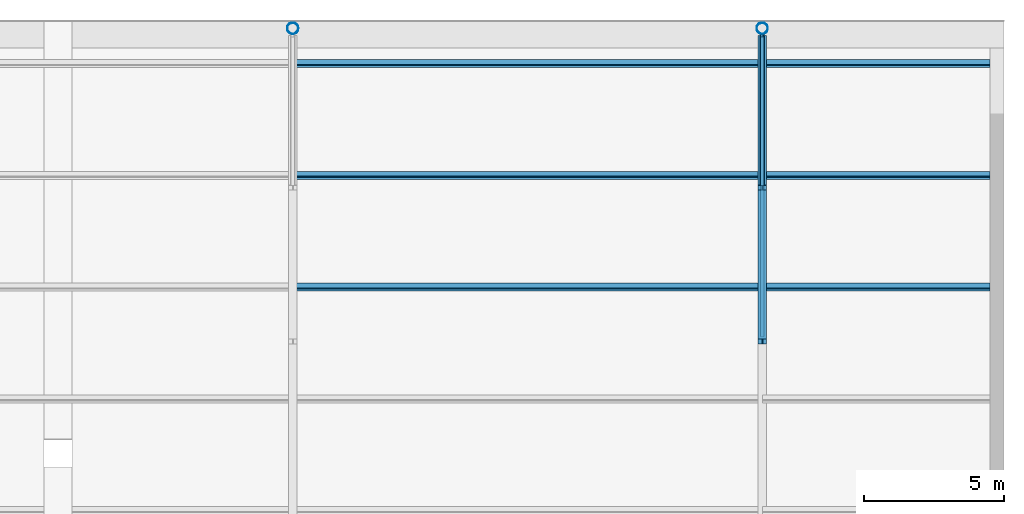
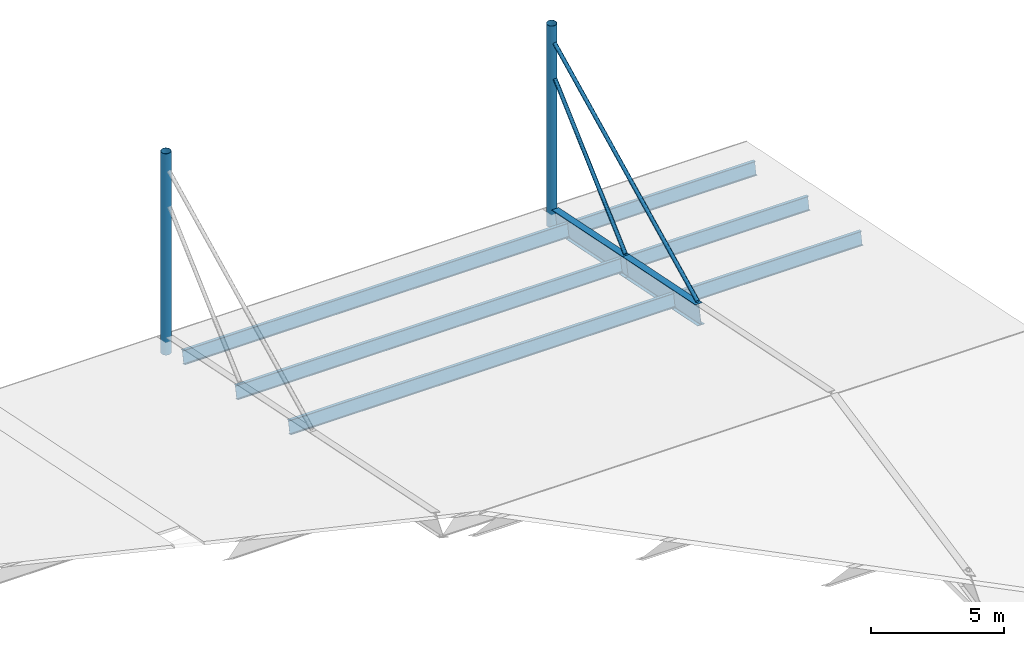
# One storey, part 7 of 8: 10 members, 2 beams.
"""IFC4 building model written with IfcOpenShell, lengths in metres."""

from ifc_helpers import new_model, si_unit, direction, frame, origin, origin_2d, place, context, subcontext, project, spatial, hollow_circle, i_section, extrude, material, material_profile, profile_set, type_object, element, save


model = new_model("IFC4")

# Units and contexts
model_context = context("Model", 3, precision=1e-05, world=origin(), true_north=direction((0.0, 1.0)))
body_context = subcontext(model_context, "Body", "Model", "MODEL_VIEW")
ifc_project = project(units=[si_unit("LENGTHUNIT", "METRE"), si_unit("AREAUNIT", "SQUARE_METRE"), si_unit("VOLUMEUNIT", "CUBIC_METRE"), si_unit("PLANEANGLEUNIT", "RADIAN"), si_unit("MASSUNIT", "GRAM", prefix="KILO")], contexts=[model_context])

# Site, building, storey
site_placement = place(None, origin())
site = spatial("IfcSite", under=ifc_project, at=site_placement, CompositionType="ELEMENT")
building_placement = place(site_placement, origin())
building = spatial("IfcBuilding", under=site, at=building_placement, Name="Ljudholm Concert House", CompositionType="ELEMENT")
storey_placement = place(building_placement, frame((0.0, 0.0, 22.800048828125)))
storey = spatial("IfcBuildingStorey", under=building, at=storey_placement, Name="ROOF", CompositionType="ELEMENT", Elevation=22.800048828125)

# Beams
ifc_material_1 = material(Name="Steel ASTM A992", Category="steel")
ifc_material_profile_1 = material_profile(ifc_material_1, i_section(OverallWidth=0.3046875, OverallDepth=0.904296875, WebThickness=0.01513671875, FlangeThickness=0.02001953125, FilletRadius=0.01904296875, at=origin_2d()), Name="W36X135")
ifc_profile_set_1 = profile_set([ifc_material_profile_1], Name="Steel ASTM A992")
beam_type = type_object("IfcBeamType", Name="STEEL BEAM W36X135 BEAM", PredefinedType="BEAM", material=ifc_profile_set_1)
beam_1_placement = place(storey_placement, frame((88.0, 85.39990234375, 3.350341796875), z_axis=(0.0, 0.979927877682, -0.199352337687), x_axis=(-1.0, 0.0, 0.0)))
element("IfcBeam", 1, at=beam_1_placement, inside=storey, type_object=beam_type, Name="Roof girder G4", PredefinedType="BEAM", context=body_context, shape_type="SweptSolid", body=[
    extrude(i_section(OverallWidth=0.3046875, OverallDepth=0.904296875, WebThickness=0.01513671875, FlangeThickness=0.02001953125, FilletRadius=0.01904296875, at=origin_2d()), origin(), (0.0, 0.0, 1.0), 5.612548828125),
])
beam_2_placement = place(storey_placement, frame((88.0, 90.89990234375, 2.2314453125), z_axis=(0.0, 0.979928667934, -0.199348453119), x_axis=(-1.0, 0.0, 0.0)))
element("IfcBeam", 2, at=beam_2_placement, inside=storey, type_object=beam_type, Name="Roof girder G4", PredefinedType="BEAM", context=body_context, shape_type="SweptSolid", body=[
    extrude(i_section(OverallWidth=0.3046875, OverallDepth=0.904296875, WebThickness=0.01513671875, FlangeThickness=0.02001953125, FilletRadius=0.01904296875, at=origin_2d()), origin(), (0.0, 0.0, 1.0), 5.459716796875),
])

# Members
ifc_material_2 = material(Name="Concrete-filled steel tube (Steel ASTM A500 Gr. C, fill Concrete 6,500 psi)", Category="concrete")
ifc_material_profile_2 = material_profile(ifc_material_2, hollow_circle(Radius=0.203125, WallThickness=0.01171875, at=origin_2d()), Name="HSS16.000X0.500")
ifc_profile_set_2 = profile_set([ifc_material_profile_2], Name="Concrete-filled steel tube (Steel ASTM A500 Gr. C, fill Concrete 6,500 psi)")
member_type_1 = type_object("IfcMemberType", Name="STEEL MEMBER HSS16.000X0.500 POST", PredefinedType="POST", material=ifc_profile_set_2)
for number, where, z_axis, x_axis, name in (
    (3, (71.199951171875, 96.60009765625, 0.699951171875), (0.0, 0.0, 1.0), (1.0, 0.0, 0.0), "Roof mast N3"),
    (4, (88.0, 96.60009765625, 0.699951171875), (0.0, 0.0, 1.0), (1.0, 0.0, 0.0), "Roof mast N4"),
):
    element("IfcMember", number, at=place(storey_placement, frame(where, z_axis=z_axis, x_axis=x_axis)), inside=storey, type_object=member_type_1, Name=name, PredefinedType="POST", context=body_context, shape_type="SweptSolid", body=[
        extrude(hollow_circle(Radius=0.203125, WallThickness=0.01171875, at=origin_2d()), origin(), (0.0, 0.0, 1.0), 9.27490234375),
    ])
ifc_material_3 = material(Name="Steel ASTM A500 Gr. C", Category="steel")
ifc_material_profile_3 = material_profile(ifc_material_3, hollow_circle(Radius=0.084228515625, WallThickness=0.006591796875, at=origin_2d()), Name="HSS6.625X0.280")
ifc_profile_set_3 = profile_set([ifc_material_profile_3], Name="Steel ASTM A500 Gr. C")
member_type_2 = type_object("IfcMemberType", Name="STEEL MEMBER HSS6.625X0.280 BRACE", PredefinedType="BRACE", material=ifc_profile_set_3)
member_1_placement = place(storey_placement, frame((88.0, 96.340087890625, 7.5625), z_axis=(0.0, -0.738258890166, -0.674517465371), x_axis=(1.0, 0.0, 0.0)))
element("IfcMember", 5, at=member_1_placement, inside=storey, type_object=member_type_2, Name="Roof stay N4.1", PredefinedType="BRACE", context=body_context, shape_type="SweptSolid", body=[
    extrude(hollow_circle(Radius=0.084228515625, WallThickness=0.006591796875, at=origin_2d()), origin(), (0.0, 0.0, 1.0), 7.185302734375),
])
member_2_placement = place(storey_placement, frame((88.0, 96.359375, 9.1806640625), z_axis=(0.0, -0.895985327461, -0.444083655378), x_axis=(1.0, 0.0, 0.0)))
element("IfcMember", 6, at=member_2_placement, inside=storey, type_object=member_type_2, Name="Roof stay N4.2", PredefinedType="BRACE", context=body_context, shape_type="SweptSolid", body=[
    extrude(hollow_circle(Radius=0.084228515625, WallThickness=0.006591796875, at=origin_2d()), origin(), (0.0, 0.0, 1.0), 12.022705078125),
])
ifc_material_4 = material(Name="Steel ASTM A992", Category="steel")
ifc_material_profile_4 = material_profile(ifc_material_4, i_section(OverallWidth=0.177978515625, OverallDepth=0.599365234375, WebThickness=0.010009765625, FlangeThickness=0.012939453125, FilletRadius=0.012939453125, at=origin_2d()), Name="W24X55")
ifc_profile_set_4 = profile_set([ifc_material_profile_4], Name="Steel ASTM A992")
member_type_3 = type_object("IfcMemberType", Name="STEEL MEMBER W24X55 PURLIN", PredefinedType="PURLIN", material=ifc_profile_set_4)
for number, where, z_axis, x_axis, name in (
    (7, (71.20751953125, 95.34033203125, 1.233642578125), (1.0, 0.0, 0.0), (0.0, 0.979924704621, -0.199367934417), "Purlin"),
    (8, (71.20751953125, 91.34033203125, 2.04736328125), (1.0, 0.0, 0.0), (0.0, 0.979924704621, -0.199367934417), "Purlin"),
    (9, (71.20751953125, 87.34033203125, 2.861328125), (1.0, 0.0, 0.0), (0.0, 0.979924704621, -0.199367934417), "Purlin"),
):
    element("IfcMember", number, at=place(storey_placement, frame(where, z_axis=z_axis, x_axis=x_axis)), inside=storey, type_object=member_type_3, Name=name, PredefinedType="PURLIN", context=body_context, shape_type="SweptSolid", body=[
        extrude(i_section(OverallWidth=0.177978515625, OverallDepth=0.599365234375, WebThickness=0.010009765625, FlangeThickness=0.012939453125, FilletRadius=0.012939453125, at=origin_2d()), origin(), (0.0, 0.0, 1.0), 16.784912109375),
    ])
for number, where, z_axis, x_axis, name in (
    (10, (88.007568359375, 95.34033203125, 1.233642578125), (1.0, 0.0, 0.0), (0.0, 0.979924704621, -0.199367934417), "Purlin"),
    (11, (88.007568359375, 91.34033203125, 2.04736328125), (1.0, 0.0, 0.0), (0.0, 0.979924704621, -0.199367934417), "Purlin"),
    (12, (88.007568359375, 87.34033203125, 2.861328125), (1.0, 0.0, 0.0), (0.0, 0.979924704621, -0.199367934417), "Purlin"),
):
    element("IfcMember", number, at=place(storey_placement, frame(where, z_axis=z_axis, x_axis=x_axis)), inside=storey, type_object=member_type_3, Name=name, PredefinedType="PURLIN", context=body_context, shape_type="SweptSolid", body=[
        extrude(i_section(OverallWidth=0.177978515625, OverallDepth=0.599365234375, WebThickness=0.010009765625, FlangeThickness=0.012939453125, FilletRadius=0.012939453125, at=origin_2d()), origin(), (0.0, 0.0, 1.0), 8.142333984375),
    ])

save(model, "model.ifc")
